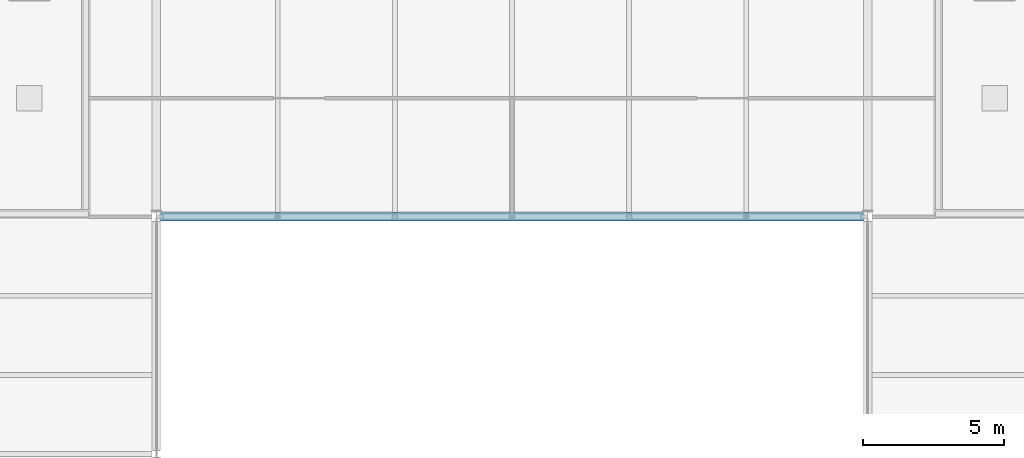
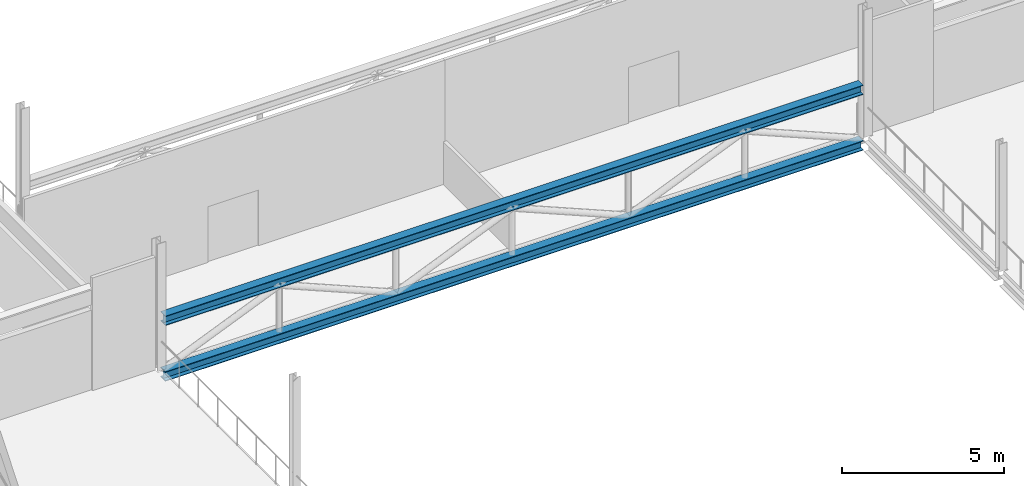
# One storey, part 13 of 76: 2 beams.
"""IFC4 building model written with IfcOpenShell, lengths in metres."""

import ifcopenshell
import ifcopenshell.guid

model = None  # the IFC model being written
_history = None  # IfcOwnerHistory: only IFC2X3 demands one
_inside = {}  # id of a spatial element -> (the spatial element, [elements in it])
_under = {}  # id of a project, library or spatial element -> (it, [spatial elements below it])
_declared = {}  # id of a project -> (the project, [libraries it declares])
_typed = {}  # id of a type object -> (the type object, [elements of that type])
_made_of = {}  # id of a material, layer set ... -> (it, [elements and type objects made of it])


def new_model(schema):
    """Start an empty IFC model of exactly this schema.

    Asked for "IFC4X3", IfcOpenShell would pick the latest addendum, in which some entities
    have other attributes; the version numbers below select the first issue.
    IFC2X3 requires an IfcOwnerHistory on every rooted entity: one is made here for all.
    """
    global model, _history
    if schema == "IFC4X3":
        model = ifcopenshell.file(schema_version=(4, 3, 0, 0))
    else:
        model = ifcopenshell.file(schema=schema)
    _inside.clear()
    _under.clear()
    _declared.clear()
    _typed.clear()
    _made_of.clear()
    _history = None
    if model.schema == "IFC2X3":
        org = make("IfcOrganization", Name="unknown")
        user = make(
            "IfcPersonAndOrganization",
            ThePerson=make("IfcPerson", FamilyName="unknown"),
            TheOrganization=org,
        )
        app = make(
            "IfcApplication",
            ApplicationDeveloper=org,
            Version="unknown",
            ApplicationFullName="unknown",
            ApplicationIdentifier="unknown",
        )
        _history = make(
            "IfcOwnerHistory",
            OwningUser=user,
            OwningApplication=app,
            ChangeAction="ADDED",
            CreationDate=0,
        )
    return model


def make(cls, **values):
    """One entity of the class cls with the attributes given. An attribute that is None is left unset."""
    return model.create_entity(
        cls, **{name: value for name, value in values.items() if value is not None}
    )


def rooted(cls, **values):
    """An entity with a GlobalId (a new one), such as an element, a storey or a relation."""
    return make(cls, GlobalId=ifcopenshell.guid.new(), OwnerHistory=_history, **values)


def si_unit(unit_type, name, prefix=None):
    """IfcSIUnit, for example si_unit("LENGTHUNIT", "METRE", prefix="MILLI")."""
    return make("IfcSIUnit", UnitType=unit_type, Prefix=prefix, Name=name)


def assignment(units):
    """IfcUnitAssignment: the units of a project."""
    return None if units is None else make("IfcUnitAssignment", Units=units)


def point(xyz):
    """IfcCartesianPoint."""
    return None if xyz is None else make("IfcCartesianPoint", Coordinates=xyz)


def direction(xyz):
    """IfcDirection."""
    return None if xyz is None else make("IfcDirection", DirectionRatios=xyz)


def frame(location, z_axis=None, x_axis=None):
    """IfcAxis2Placement3D, a coordinate frame: its origin and axes. An axis left out is left unset."""
    return make(
        "IfcAxis2Placement3D",
        Location=point(location),
        Axis=direction(z_axis),
        RefDirection=direction(x_axis),
    )


def frame_2d(location, x_axis=None):
    """IfcAxis2Placement2D, a coordinate frame in the plane: its origin and x axis."""
    return make(
        "IfcAxis2Placement2D", Location=point(location), RefDirection=direction(x_axis)
    )


def origin():
    """The frame at (0, 0, 0) with its axes left unset."""
    return frame((0.0, 0.0, 0.0))


def origin_2d():
    """The frame at (0, 0) in the plane with its x axis left unset."""
    return frame_2d((0.0, 0.0))


def place(relative_to, where):
    """IfcLocalPlacement: puts the frame where relative to a parent placement (None: the world)."""
    return make(
        "IfcLocalPlacement", PlacementRelTo=relative_to, RelativePlacement=where
    )


def context(
    kind, dimensions, precision=None, world=None, true_north=None, identifier=None
):
    """IfcGeometricRepresentationContext, for example the 3D "Model" context."""
    return make(
        "IfcGeometricRepresentationContext",
        ContextIdentifier=identifier,
        ContextType=kind,
        CoordinateSpaceDimension=dimensions,
        Precision=precision,
        WorldCoordinateSystem=world,
        TrueNorth=true_north,
    )


def subcontext(parent, identifier, kind, view, scale=None):
    """IfcGeometricRepresentationSubContext, for example "Body" below "Model"."""
    return make(
        "IfcGeometricRepresentationSubContext",
        ContextIdentifier=identifier,
        ContextType=kind,
        ParentContext=parent,
        TargetScale=scale,
        TargetView=view,
    )


def project(units=None, contexts=None):
    """IfcProject with its units and contexts."""
    return rooted(
        "IfcProject",
        Name="project",
        RepresentationContexts=contexts,
        UnitsInContext=assignment(units),
    )


def spatial(cls, under=None, at=None, **own):
    """A site, building, storey or space (cls), placed at a placement, below another one or the project."""
    s = rooted(cls, ObjectPlacement=at, **own)
    if under is not None:
        _under.setdefault(under.id(), (under, []))[1].append(s)
    return s


def profile(cls, at=None, kind="AREA", **sizes):
    """A parametric profile (cls). Its sizes go by their IFC names, for example OverallWidth=200.0."""
    return make(cls, ProfileType=kind, Position=at, **sizes)


def i_section(**sizes):
    """IfcIShapeProfileDef."""
    return profile("IfcIShapeProfileDef", **sizes)


def extrude(swept, where, along, depth):
    """IfcExtrudedAreaSolid: the profile swept, set in the frame where, extruded along a direction by depth."""
    return make(
        "IfcExtrudedAreaSolid",
        SweptArea=swept,
        Position=where,
        ExtrudedDirection=direction(along),
        Depth=depth,
    )


def shape(context_of_items, identifier, shape_type, items):
    """IfcShapeRepresentation: the items that make up one representation, for example the "Body"."""
    return make(
        "IfcShapeRepresentation",
        ContextOfItems=context_of_items,
        RepresentationIdentifier=identifier,
        RepresentationType=shape_type,
        Items=items,
    )


def material(Name=None, Category=None):
    """IfcMaterial."""
    return make("IfcMaterial", Name=Name, Category=Category)


def material_profile(
    of_material, cross_section, Name=None, Category=None, Priority=None
):
    """IfcMaterialProfile: a cross section and its material."""
    return make(
        "IfcMaterialProfile",
        Name=Name,
        Material=of_material,
        Profile=cross_section,
        Priority=Priority,
        Category=Category,
    )


def profile_set(profiles, Name=None, composite=None):
    """IfcMaterialProfileSet."""
    return make(
        "IfcMaterialProfileSet",
        Name=Name,
        MaterialProfiles=profiles,
        CompositeProfile=composite,
    )


def made_of(thing, what):
    """Note that an element or type object is made of a material, layer set ...; save() writes the relation."""
    if what is not None:
        _made_of.setdefault(what.id(), (what, []))[1].append(thing)
    return thing


def type_object(cls, material=None, **own):
    """A type object (cls), such as IfcWallType, which elements share."""
    return made_of(rooted(cls, **own), material)


def element(
    cls,
    number,
    at=None,
    inside=None,
    cuts=None,
    type_object=None,
    material=None,
    context=None,
    identifier="Body",
    shape_type=None,
    held_by="IfcProductDefinitionShape",
    body=None,
    shapes=None,
    **own,
):
    """One element of the class cls, such as IfcWall. Its Tag is "e" and its number.

    at: its placement. inside: the storey or other place that contains it. cuts: it is an
    opening in that element (IfcRelVoidsElement). A single representation is given by context,
    identifier, shape_type and body (its items); several are given by shapes. held_by: the class
    of the entity that holds the representations. save() writes the other relations.
    """
    e = rooted(cls, Tag="e%d" % number, ObjectPlacement=at, **own)
    if body is not None:
        shapes = [shape(context, identifier, shape_type, body)]
    if shapes is not None:
        e.Representation = make(held_by, Representations=shapes)
    if inside is not None:
        _inside.setdefault(inside.id(), (inside, []))[1].append(e)
    if cuts is not None:
        rooted(
            "IfcRelVoidsElement", RelatingBuildingElement=cuts, RelatedOpeningElement=e
        )
    if type_object is not None:
        _typed.setdefault(type_object.id(), (type_object, []))[1].append(e)
    return made_of(e, material)


def aggregate(whole, parts):
    """IfcRelAggregates: a whole, such as a stair, and the parts it consists of."""
    return rooted("IfcRelAggregates", RelatingObject=whole, RelatedObjects=parts)


def save(model, path):
    """Write the relations noted so far, then the file.

    IfcRelAggregates (storeys below a building ...), IfcRelContainedInSpatialStructure (elements
    in a storey), IfcRelDefinesByType, IfcRelAssociatesMaterial and IfcRelDeclares: one each for
    every whole, place, type object, material and project.
    """
    for whole, parts in _under.values():
        aggregate(whole, parts)
    for where, things in _inside.values():
        rooted(
            "IfcRelContainedInSpatialStructure",
            RelatedElements=things,
            RelatingStructure=where,
        )
    for kind, things in _typed.values():
        rooted("IfcRelDefinesByType", RelatedObjects=things, RelatingType=kind)
    for what, things in _made_of.values():
        rooted("IfcRelAssociatesMaterial", RelatedObjects=things, RelatingMaterial=what)
    for by, libraries in _declared.values():
        rooted("IfcRelDeclares", RelatingContext=by, RelatedDefinitions=libraries)
    model.write(path)


model = new_model("IFC4")

# Units and contexts
model_context = context("Model", 3, precision=1e-05, world=origin(), true_north=direction((0.0, 1.0)))
body_context = subcontext(model_context, "Body", "Model", "MODEL_VIEW")
ifc_project = project(units=[si_unit("LENGTHUNIT", "METRE"), si_unit("AREAUNIT", "SQUARE_METRE"), si_unit("VOLUMEUNIT", "CUBIC_METRE"), si_unit("PLANEANGLEUNIT", "RADIAN"), si_unit("MASSUNIT", "GRAM", prefix="KILO")], contexts=[model_context])

# Site, building, storey
site_placement = place(None, origin())
site = spatial("IfcSite", under=ifc_project, at=site_placement, CompositionType="ELEMENT")
building_placement = place(site_placement, origin())
building = spatial("IfcBuilding", under=site, at=building_placement, Name="Sava Quay Ferry Terminal", CompositionType="ELEMENT")
storey_placement = place(building_placement, frame((0.0, 0.0, 6.0)))
storey = spatial("IfcBuildingStorey", under=building, at=storey_placement, Name="L01", CompositionType="ELEMENT", Elevation=6.0)

# Beams
ifc_material = material(Name="Steel S355", Category="steel")
ifc_material_profile = material_profile(ifc_material, i_section(OverallWidth=0.300048828125, OverallDepth=0.360107421875, WebThickness=0.012451171875, FlangeThickness=0.0224609375, at=origin_2d()), Name="HE 360 B")
ifc_profile_set = profile_set([ifc_material_profile], Name="Steel S355")
beam_type = type_object("IfcBeamType", Name="Girder HE 360 B", PredefinedType="BEAM", material=ifc_profile_set)
for number, where, z_axis, x_axis, name in (
    (1, (50.550048828125, 50.39990234375, -0.31005859375), (1.0, 0.0, 0.0), (0.0, 1.0, 0.0), "Truss bottom chord 50.4"),
    (2, (50.550048828125, 50.39990234375, 1.7900390625), (1.0, 0.0, 0.0), (0.0, 1.0, 0.0), "Truss top chord 50.4"),
):
    element("IfcBeam", number, at=place(storey_placement, frame(where, z_axis=z_axis, x_axis=x_axis)), inside=storey, type_object=beam_type, Name=name, PredefinedType="BEAM", context=body_context, shape_type="SweptSolid", body=[
        extrude(i_section(OverallWidth=0.300048828125, OverallDepth=0.360107421875, WebThickness=0.012451171875, FlangeThickness=0.0224609375, at=origin_2d()), origin(), (0.0, 0.0, 1.0), 24.89990234375),
    ])

save(model, "model.ifc")
